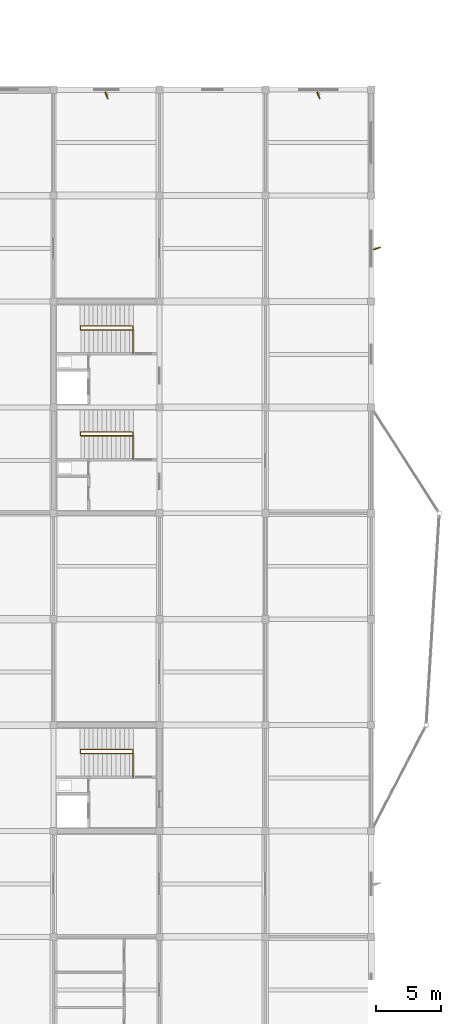
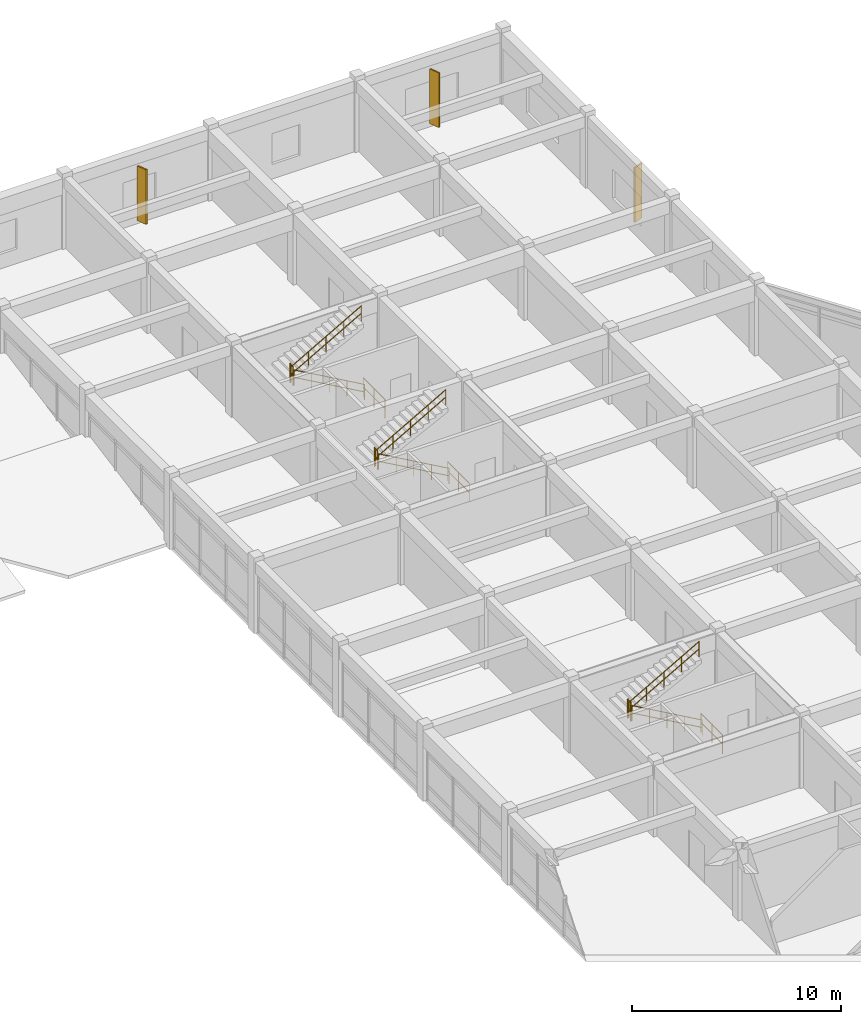
# One storey, part 33 of 33: 12 railings, 3 shading devices.
"""IFC4 building model written with IfcOpenShell, lengths in metres."""

from ifc_helpers import new_model, si_unit, direction, frame, origin, origin_2d, place, context, subcontext, project, spatial, rectangle, circle, extrude, material, type_object, element, save


model = new_model("IFC4")

# Units and contexts
model_context = context("Model", 3, precision=1e-05, world=origin(), true_north=direction((0.0, 1.0)))
body_context = subcontext(model_context, "Body", "Model", "MODEL_VIEW")
ifc_project = project(units=[si_unit("LENGTHUNIT", "METRE"), si_unit("AREAUNIT", "SQUARE_METRE"), si_unit("VOLUMEUNIT", "CUBIC_METRE"), si_unit("PLANEANGLEUNIT", "RADIAN"), si_unit("MASSUNIT", "GRAM", prefix="KILO")], contexts=[model_context])

# Site, building, storey
site_placement = place(None, origin())
site = spatial("IfcSite", under=ifc_project, at=site_placement, CompositionType="ELEMENT")
building_placement = place(site_placement, origin())
building = spatial("IfcBuilding", under=site, at=building_placement, Name="Vaudrelin Polytechnic", CompositionType="ELEMENT")
storey_placement = place(building_placement, frame((0.0, 0.0, 27.3701171875)))
storey = spatial("IfcBuildingStorey", under=building, at=storey_placement, Name="L06", CompositionType="ELEMENT", Elevation=27.3701171875)

# Shading devices
ifc_material_1 = material(Name="Anodised perforated aluminium AA 5005", Category="aluminium")
shading_device_type = type_object("IfcShadingDeviceType", Name="ENV-SF-FIN1", PredefinedType="USERDEFINED", material=ifc_material_1)
for number, where, z_axis, x_axis, name in (
    (1, (149.85009765625, 121.06494140625, 0.19970703125), (0.0, 0.0, 1.0), (0.374606593416, -0.927183854567, 0.0), "Perforated solar fin SF-047"),
    (2, (166.050048828125, 121.06494140625, 0.19970703125), (0.0, 0.0, 1.0), (0.374606593416, -0.927183854567, 0.0), "Perforated solar fin SF-048"),
    (3, (170.534912109375, 109.35009765625, 0.19970703125), (0.0, 0.0, 1.0), (0.927183854567, 0.374606593416, 0.0), "Perforated solar fin SF-051"),
):
    element("IfcShadingDevice", number, at=place(storey_placement, frame(where, z_axis=z_axis, x_axis=x_axis)), inside=storey, type_object=shading_device_type, Name=name, ObjectType="SOLAR FIN", PredefinedType="USERDEFINED", context=body_context, shape_type="SweptSolid", body=[
        extrude(rectangle(XDim=0.550048828125, YDim=0.080078125, at=origin_2d()), origin(), (0.0, 0.0, 1.0), 3.199951171875),
    ])

# Railings
ifc_material_2 = material(Name="Brushed stainless steel AISI 304", Category="steel")
railing_type_1 = type_object("IfcRailingType", Name="RAL-GR-INT", PredefinedType="GUARDRAIL", material=ifc_material_2)
railing_1_placement = place(storey_placement, frame((151.8798828125, 101.31005859375, 0.0)))
element("IfcRailing", 4, at=railing_1_placement, inside=storey, type_object=railing_type_1, Name="ST-06-L05 upper well guardrail", PredefinedType="GUARDRAIL", context=body_context, shape_type="SweptSolid", body=[
    extrude(circle(Radius=0.02392578125, at=origin_2d()), frame((0.0, 0.023193359375, 1.09619140625), z_axis=(0.0, 1.0, 0.0), x_axis=(-1.0, 0.0, 0.0)), (0.0, 0.0, 1.0), 2.023681640625),
    extrude(circle(Radius=0.02392578125, at=origin_2d()), frame((0.0, 0.023193359375, 0.56005859375), z_axis=(0.0, 1.0, 0.0), x_axis=(-1.0, 0.0, 0.0)), (0.0, 0.0, 1.0), 2.023681640625),
    extrude(circle(Radius=0.02099609375, at=origin_2d()), origin(), (0.0, 0.0, 1.0), 1.1201171875),
    extrude(circle(Radius=0.02099609375, at=origin_2d()), frame((0.0, 1.034912109375, 0.0)), (0.0, 0.0, 1.0), 1.1201171875),
    extrude(circle(Radius=0.02099609375, at=origin_2d()), frame((0.0, 2.06982421875, 0.0)), (0.0, 0.0, 1.0), 1.1201171875),
])
railing_2_placement = place(storey_placement, frame((147.85009765625, 103.139892578125, 2.2099609375)))
element("IfcRailing", 5, at=railing_2_placement, inside=storey, type_object=railing_type_1, Name="ST-06-L06 landing well guardrail", PredefinedType="GUARDRAIL", context=body_context, shape_type="SweptSolid", body=[
    extrude(circle(Radius=0.02392578125, at=origin_2d()), frame((0.0, 0.023193359375, 1.09619140625), z_axis=(0.0, 1.0, 0.0), x_axis=(-1.0, 0.0, 0.0)), (0.0, 0.0, 1.0), 0.23388671875),
    extrude(circle(Radius=0.02392578125, at=origin_2d()), frame((0.0, 0.023193359375, 0.56005859375), z_axis=(0.0, 1.0, 0.0), x_axis=(-1.0, 0.0, 0.0)), (0.0, 0.0, 1.0), 0.23388671875),
    extrude(circle(Radius=0.02099609375, at=origin_2d()), origin(), (0.0, 0.0, 1.0), 1.1201171875),
    extrude(circle(Radius=0.02099609375, at=origin_2d()), frame((0.0, 0.280029296875, 0.0)), (0.0, 0.0, 1.0), 1.1201171875),
])
railing_3_placement = place(storey_placement, frame((151.8798828125, 68.909912109375, 0.0)))
element("IfcRailing", 6, at=railing_3_placement, inside=storey, type_object=railing_type_1, Name="ST-07-L05 upper well guardrail", PredefinedType="GUARDRAIL", context=body_context, shape_type="SweptSolid", body=[
    extrude(circle(Radius=0.02392578125, at=origin_2d()), frame((0.0, 0.023193359375, 1.09619140625), z_axis=(0.0, 1.0, 0.0), x_axis=(-1.0, 0.0, 0.0)), (0.0, 0.0, 1.0), 2.02392578125),
    extrude(circle(Radius=0.02392578125, at=origin_2d()), frame((0.0, 0.023193359375, 0.56005859375), z_axis=(0.0, 1.0, 0.0), x_axis=(-1.0, 0.0, 0.0)), (0.0, 0.0, 1.0), 2.02392578125),
    extrude(circle(Radius=0.02099609375, at=origin_2d()), origin(), (0.0, 0.0, 1.0), 1.1201171875),
    extrude(circle(Radius=0.02099609375, at=origin_2d()), frame((0.0, 1.03515625, 0.0)), (0.0, 0.0, 1.0), 1.1201171875),
    extrude(circle(Radius=0.02099609375, at=origin_2d()), frame((0.0, 2.070068359375, 0.0)), (0.0, 0.0, 1.0), 1.1201171875),
])
railing_4_placement = place(storey_placement, frame((147.85009765625, 70.739990234375, 2.2099609375)))
element("IfcRailing", 7, at=railing_4_placement, inside=storey, type_object=railing_type_1, Name="ST-07-L06 landing well guardrail", PredefinedType="GUARDRAIL", context=body_context, shape_type="SweptSolid", body=[
    extrude(circle(Radius=0.02392578125, at=origin_2d()), frame((0.0, 0.023193359375, 1.09619140625), z_axis=(0.0, 1.0, 0.0), x_axis=(-1.0, 0.0, 0.0)), (0.0, 0.0, 1.0), 0.23388671875),
    extrude(circle(Radius=0.02392578125, at=origin_2d()), frame((0.0, 0.023193359375, 0.56005859375), z_axis=(0.0, 1.0, 0.0), x_axis=(-1.0, 0.0, 0.0)), (0.0, 0.0, 1.0), 0.23388671875),
    extrude(circle(Radius=0.02099609375, at=origin_2d()), origin(), (0.0, 0.0, 1.0), 1.1201171875),
    extrude(circle(Radius=0.02099609375, at=origin_2d()), frame((0.0, 0.280029296875, 0.0)), (0.0, 0.0, 1.0), 1.1201171875),
])
railing_5_placement = place(storey_placement, frame((151.8798828125, 93.2099609375, 0.0)))
element("IfcRailing", 8, at=railing_5_placement, inside=storey, type_object=railing_type_1, Name="ST-13-L05 upper well guardrail", PredefinedType="GUARDRAIL", context=body_context, shape_type="SweptSolid", body=[
    extrude(circle(Radius=0.02392578125, at=origin_2d()), frame((0.0, 0.023193359375, 1.09619140625), z_axis=(0.0, 1.0, 0.0), x_axis=(-1.0, 0.0, 0.0)), (0.0, 0.0, 1.0), 2.02392578125),
    extrude(circle(Radius=0.02392578125, at=origin_2d()), frame((0.0, 0.023193359375, 0.56005859375), z_axis=(0.0, 1.0, 0.0), x_axis=(-1.0, 0.0, 0.0)), (0.0, 0.0, 1.0), 2.02392578125),
    extrude(circle(Radius=0.02099609375, at=origin_2d()), origin(), (0.0, 0.0, 1.0), 1.1201171875),
    extrude(circle(Radius=0.02099609375, at=origin_2d()), frame((0.0, 1.03515625, 0.0)), (0.0, 0.0, 1.0), 1.1201171875),
    extrude(circle(Radius=0.02099609375, at=origin_2d()), frame((0.0, 2.070068359375, 0.0)), (0.0, 0.0, 1.0), 1.1201171875),
])
railing_6_placement = place(storey_placement, frame((147.85009765625, 95.0400390625, 2.2099609375)))
element("IfcRailing", 9, at=railing_6_placement, inside=storey, type_object=railing_type_1, Name="ST-13-L06 landing well guardrail", PredefinedType="GUARDRAIL", context=body_context, shape_type="SweptSolid", body=[
    extrude(circle(Radius=0.02392578125, at=origin_2d()), frame((0.0, 0.023193359375, 1.09619140625), z_axis=(0.0, 1.0, 0.0), x_axis=(-1.0, 0.0, 0.0)), (0.0, 0.0, 1.0), 0.23388671875),
    extrude(circle(Radius=0.02392578125, at=origin_2d()), frame((0.0, 0.023193359375, 0.56005859375), z_axis=(0.0, 1.0, 0.0), x_axis=(-1.0, 0.0, 0.0)), (0.0, 0.0, 1.0), 0.23388671875),
    extrude(circle(Radius=0.02099609375, at=origin_2d()), origin(), (0.0, 0.0, 1.0), 1.1201171875),
    extrude(circle(Radius=0.02099609375, at=origin_2d()), frame((0.0, 0.280029296875, 0.0)), (0.0, 0.0, 1.0), 1.1201171875),
])
railing_type_2 = type_object("IfcRailingType", Name="RAL-HR-STR", PredefinedType="HANDRAIL", material=ifc_material_2)
railing_7_placement = place(storey_placement, frame((151.800048828125, 103.1298828125, 0.0)))
element("IfcRailing", 10, at=railing_7_placement, inside=storey, type_object=railing_type_2, Name="ST-06-L06 flight 1 handrail", PredefinedType="HANDRAIL", context=body_context, shape_type="SweptSolid", body=[
    extrude(circle(Radius=0.02392578125, at=origin_2d()), frame((-0.02001953125, 0.0, 0.9072265625), z_axis=(-0.869489581884, 0.0, 0.493951279981), x_axis=(0.0, -1.0, 0.0)), (0.0, 0.0, 1.0), 4.427734375),
    extrude(circle(Radius=0.02392578125, at=origin_2d()), frame((-0.02001953125, 0.0, 0.471435546875), z_axis=(-0.869489581884, 0.0, 0.493951279981), x_axis=(0.0, -1.0, 0.0)), (0.0, 0.0, 1.0), 4.427734375),
    extrude(circle(Radius=0.02099609375, at=origin_2d()), origin(), (0.0, 0.0, 1.0), 0.919921875),
    extrude(circle(Radius=0.02099609375, at=origin_2d()), frame((-0.97265625, 0.0, 0.552490234375)), (0.0, 0.0, 1.0), 0.919921875),
    extrude(circle(Radius=0.02099609375, at=origin_2d()), frame((-1.945068359375, 0.0, 1.10498046875)), (0.0, 0.0, 1.0), 0.919921875),
    extrude(circle(Radius=0.02099609375, at=origin_2d()), frame((-2.91748046875, 0.0, 1.657470703125)), (0.0, 0.0, 1.0), 0.919921875),
    extrude(circle(Radius=0.02099609375, at=origin_2d()), frame((-3.89013671875, 0.0, 2.2099609375)), (0.0, 0.0, 1.0), 0.919921875),
])
railing_8_placement = place(storey_placement, frame((147.909912109375, 103.429931640625, 2.2099609375)))
element("IfcRailing", 11, at=railing_8_placement, inside=storey, type_object=railing_type_2, Name="ST-06-L06 flight 2 handrail", PredefinedType="HANDRAIL", context=body_context, shape_type="SweptSolid", body=[
    extrude(circle(Radius=0.02392578125, at=origin_2d()), frame((0.02001953125, 0.0, 0.9072265625), z_axis=(0.869489581884, 0.0, 0.493951279981), x_axis=(0.0, 1.0, 0.0)), (0.0, 0.0, 1.0), 4.427734375),
    extrude(circle(Radius=0.02392578125, at=origin_2d()), frame((0.02001953125, 0.0, 0.471435546875), z_axis=(0.869489581884, 0.0, 0.493951279981), x_axis=(0.0, 1.0, 0.0)), (0.0, 0.0, 1.0), 4.427734375),
    extrude(circle(Radius=0.02099609375, at=origin_2d()), origin(), (0.0, 0.0, 1.0), 0.919921875),
    extrude(circle(Radius=0.02099609375, at=origin_2d()), frame((0.97265625, 0.0, 0.552490234375)), (0.0, 0.0, 1.0), 0.919921875),
    extrude(circle(Radius=0.02099609375, at=origin_2d()), frame((1.945068359375, 0.0, 1.10498046875)), (0.0, 0.0, 1.0), 0.919921875),
    extrude(circle(Radius=0.02099609375, at=origin_2d()), frame((2.91748046875, 0.0, 1.657470703125)), (0.0, 0.0, 1.0), 0.919921875),
    extrude(circle(Radius=0.02099609375, at=origin_2d()), frame((3.89013671875, 0.0, 2.2099609375)), (0.0, 0.0, 1.0), 0.919921875),
])
railing_9_placement = place(storey_placement, frame((151.800048828125, 70.72998046875, 0.0)))
element("IfcRailing", 12, at=railing_9_placement, inside=storey, type_object=railing_type_2, Name="ST-07-L06 flight 1 handrail", PredefinedType="HANDRAIL", context=body_context, shape_type="SweptSolid", body=[
    extrude(circle(Radius=0.02392578125, at=origin_2d()), frame((-0.02001953125, 0.0, 0.9072265625), z_axis=(-0.869489581884, 0.0, 0.493951279981), x_axis=(0.0, -1.0, 0.0)), (0.0, 0.0, 1.0), 4.427734375),
    extrude(circle(Radius=0.02392578125, at=origin_2d()), frame((-0.02001953125, 0.0, 0.471435546875), z_axis=(-0.869489581884, 0.0, 0.493951279981), x_axis=(0.0, -1.0, 0.0)), (0.0, 0.0, 1.0), 4.427734375),
    extrude(circle(Radius=0.02099609375, at=origin_2d()), origin(), (0.0, 0.0, 1.0), 0.919921875),
    extrude(circle(Radius=0.02099609375, at=origin_2d()), frame((-0.97265625, 0.0, 0.552490234375)), (0.0, 0.0, 1.0), 0.919921875),
    extrude(circle(Radius=0.02099609375, at=origin_2d()), frame((-1.945068359375, 0.0, 1.10498046875)), (0.0, 0.0, 1.0), 0.919921875),
    extrude(circle(Radius=0.02099609375, at=origin_2d()), frame((-2.91748046875, 0.0, 1.657470703125)), (0.0, 0.0, 1.0), 0.919921875),
    extrude(circle(Radius=0.02099609375, at=origin_2d()), frame((-3.89013671875, 0.0, 2.2099609375)), (0.0, 0.0, 1.0), 0.919921875),
])
railing_10_placement = place(storey_placement, frame((147.909912109375, 71.030029296875, 2.2099609375)))
element("IfcRailing", 13, at=railing_10_placement, inside=storey, type_object=railing_type_2, Name="ST-07-L06 flight 2 handrail", PredefinedType="HANDRAIL", context=body_context, shape_type="SweptSolid", body=[
    extrude(circle(Radius=0.02392578125, at=origin_2d()), frame((0.02001953125, 0.0, 0.9072265625), z_axis=(0.869489581884, 0.0, 0.493951279981), x_axis=(0.0, 1.0, 0.0)), (0.0, 0.0, 1.0), 4.427734375),
    extrude(circle(Radius=0.02392578125, at=origin_2d()), frame((0.02001953125, 0.0, 0.471435546875), z_axis=(0.869489581884, 0.0, 0.493951279981), x_axis=(0.0, 1.0, 0.0)), (0.0, 0.0, 1.0), 4.427734375),
    extrude(circle(Radius=0.02099609375, at=origin_2d()), origin(), (0.0, 0.0, 1.0), 0.919921875),
    extrude(circle(Radius=0.02099609375, at=origin_2d()), frame((0.97265625, 0.0, 0.552490234375)), (0.0, 0.0, 1.0), 0.919921875),
    extrude(circle(Radius=0.02099609375, at=origin_2d()), frame((1.945068359375, 0.0, 1.10498046875)), (0.0, 0.0, 1.0), 0.919921875),
    extrude(circle(Radius=0.02099609375, at=origin_2d()), frame((2.91748046875, 0.0, 1.657470703125)), (0.0, 0.0, 1.0), 0.919921875),
    extrude(circle(Radius=0.02099609375, at=origin_2d()), frame((3.89013671875, 0.0, 2.2099609375)), (0.0, 0.0, 1.0), 0.919921875),
])
railing_11_placement = place(storey_placement, frame((151.800048828125, 95.030029296875, 0.0)))
element("IfcRailing", 14, at=railing_11_placement, inside=storey, type_object=railing_type_2, Name="ST-13-L06 flight 1 handrail", PredefinedType="HANDRAIL", context=body_context, shape_type="SweptSolid", body=[
    extrude(circle(Radius=0.02392578125, at=origin_2d()), frame((-0.02001953125, 0.0, 0.9072265625), z_axis=(-0.869489581884, 0.0, 0.493951279981), x_axis=(0.0, -1.0, 0.0)), (0.0, 0.0, 1.0), 4.427734375),
    extrude(circle(Radius=0.02392578125, at=origin_2d()), frame((-0.02001953125, 0.0, 0.471435546875), z_axis=(-0.869489581884, 0.0, 0.493951279981), x_axis=(0.0, -1.0, 0.0)), (0.0, 0.0, 1.0), 4.427734375),
    extrude(circle(Radius=0.02099609375, at=origin_2d()), origin(), (0.0, 0.0, 1.0), 0.919921875),
    extrude(circle(Radius=0.02099609375, at=origin_2d()), frame((-0.97265625, 0.0, 0.552490234375)), (0.0, 0.0, 1.0), 0.919921875),
    extrude(circle(Radius=0.02099609375, at=origin_2d()), frame((-1.945068359375, 0.0, 1.10498046875)), (0.0, 0.0, 1.0), 0.919921875),
    extrude(circle(Radius=0.02099609375, at=origin_2d()), frame((-2.91748046875, 0.0, 1.657470703125)), (0.0, 0.0, 1.0), 0.919921875),
    extrude(circle(Radius=0.02099609375, at=origin_2d()), frame((-3.89013671875, 0.0, 2.2099609375)), (0.0, 0.0, 1.0), 0.919921875),
])
railing_12_placement = place(storey_placement, frame((147.909912109375, 95.330078125, 2.2099609375)))
element("IfcRailing", 15, at=railing_12_placement, inside=storey, type_object=railing_type_2, Name="ST-13-L06 flight 2 handrail", PredefinedType="HANDRAIL", context=body_context, shape_type="SweptSolid", body=[
    extrude(circle(Radius=0.02392578125, at=origin_2d()), frame((0.02001953125, 0.0, 0.9072265625), z_axis=(0.869489581884, 0.0, 0.493951279981), x_axis=(0.0, 1.0, 0.0)), (0.0, 0.0, 1.0), 4.427734375),
    extrude(circle(Radius=0.02392578125, at=origin_2d()), frame((0.02001953125, 0.0, 0.471435546875), z_axis=(0.869489581884, 0.0, 0.493951279981), x_axis=(0.0, 1.0, 0.0)), (0.0, 0.0, 1.0), 4.427734375),
    extrude(circle(Radius=0.02099609375, at=origin_2d()), origin(), (0.0, 0.0, 1.0), 0.919921875),
    extrude(circle(Radius=0.02099609375, at=origin_2d()), frame((0.97265625, 0.0, 0.552490234375)), (0.0, 0.0, 1.0), 0.919921875),
    extrude(circle(Radius=0.02099609375, at=origin_2d()), frame((1.945068359375, 0.0, 1.10498046875)), (0.0, 0.0, 1.0), 0.919921875),
    extrude(circle(Radius=0.02099609375, at=origin_2d()), frame((2.91748046875, 0.0, 1.657470703125)), (0.0, 0.0, 1.0), 0.919921875),
    extrude(circle(Radius=0.02099609375, at=origin_2d()), frame((3.89013671875, 0.0, 2.2099609375)), (0.0, 0.0, 1.0), 0.919921875),
])

save(model, "model.ifc")
